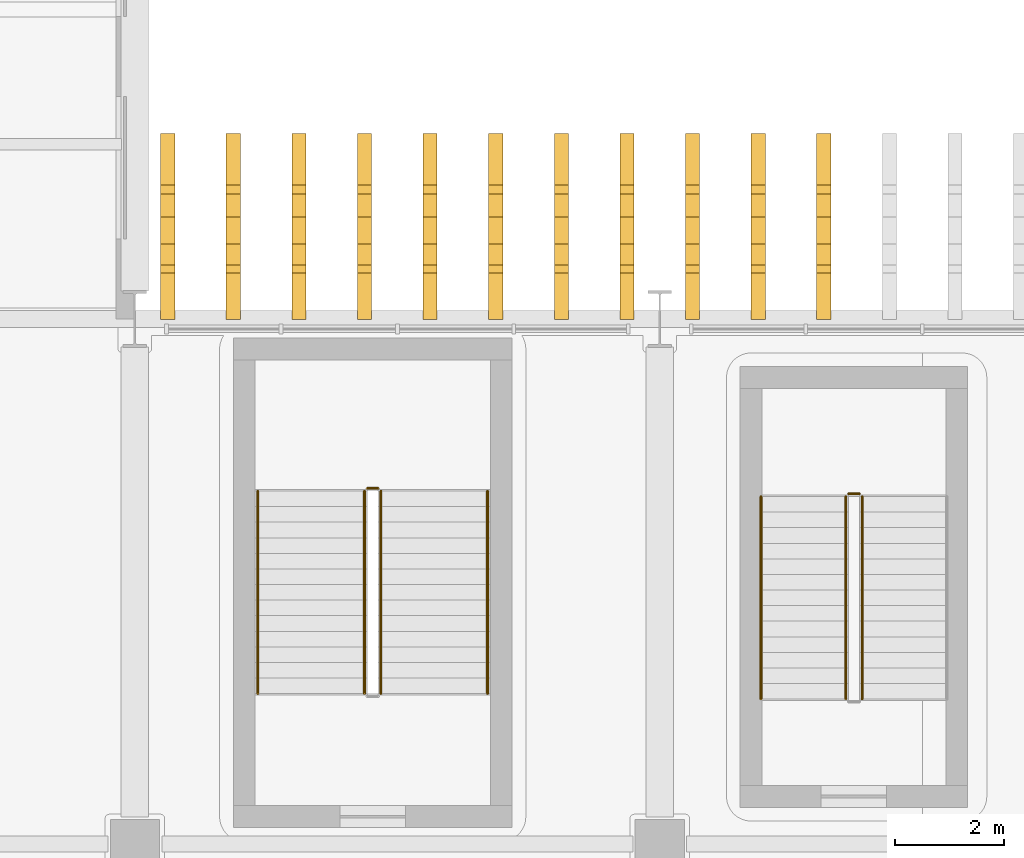
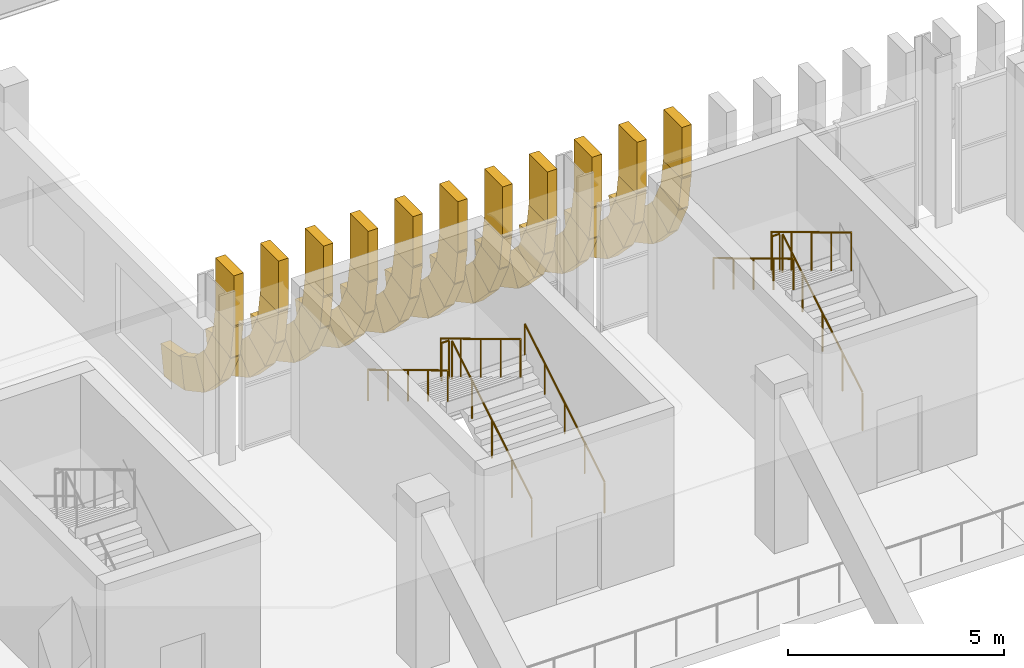
# One storey, part 87 of 100: 66 coverings, 9 railings.
"""IFC4 building model written with IfcOpenShell, lengths in metres."""

import ifcopenshell
import ifcopenshell.guid

model = None  # the IFC model being written
_history = None  # IfcOwnerHistory: only IFC2X3 demands one
_inside = {}  # id of a spatial element -> (the spatial element, [elements in it])
_under = {}  # id of a project, library or spatial element -> (it, [spatial elements below it])
_declared = {}  # id of a project -> (the project, [libraries it declares])
_typed = {}  # id of a type object -> (the type object, [elements of that type])
_made_of = {}  # id of a material, layer set ... -> (it, [elements and type objects made of it])


def new_model(schema):
    """Start an empty IFC model of exactly this schema.

    Asked for "IFC4X3", IfcOpenShell would pick the latest addendum, in which some entities
    have other attributes; the version numbers below select the first issue.
    IFC2X3 requires an IfcOwnerHistory on every rooted entity: one is made here for all.
    """
    global model, _history
    if schema == "IFC4X3":
        model = ifcopenshell.file(schema_version=(4, 3, 0, 0))
    else:
        model = ifcopenshell.file(schema=schema)
    _inside.clear()
    _under.clear()
    _declared.clear()
    _typed.clear()
    _made_of.clear()
    _history = None
    if model.schema == "IFC2X3":
        org = make("IfcOrganization", Name="unknown")
        user = make(
            "IfcPersonAndOrganization",
            ThePerson=make("IfcPerson", FamilyName="unknown"),
            TheOrganization=org,
        )
        app = make(
            "IfcApplication",
            ApplicationDeveloper=org,
            Version="unknown",
            ApplicationFullName="unknown",
            ApplicationIdentifier="unknown",
        )
        _history = make(
            "IfcOwnerHistory",
            OwningUser=user,
            OwningApplication=app,
            ChangeAction="ADDED",
            CreationDate=0,
        )
    return model


def make(cls, **values):
    """One entity of the class cls with the attributes given. An attribute that is None is left unset."""
    return model.create_entity(
        cls, **{name: value for name, value in values.items() if value is not None}
    )


def rooted(cls, **values):
    """An entity with a GlobalId (a new one), such as an element, a storey or a relation."""
    return make(cls, GlobalId=ifcopenshell.guid.new(), OwnerHistory=_history, **values)


def si_unit(unit_type, name, prefix=None):
    """IfcSIUnit, for example si_unit("LENGTHUNIT", "METRE", prefix="MILLI")."""
    return make("IfcSIUnit", UnitType=unit_type, Prefix=prefix, Name=name)


def assignment(units):
    """IfcUnitAssignment: the units of a project."""
    return None if units is None else make("IfcUnitAssignment", Units=units)


def point(xyz):
    """IfcCartesianPoint."""
    return None if xyz is None else make("IfcCartesianPoint", Coordinates=xyz)


def direction(xyz):
    """IfcDirection."""
    return None if xyz is None else make("IfcDirection", DirectionRatios=xyz)


def frame(location, z_axis=None, x_axis=None):
    """IfcAxis2Placement3D, a coordinate frame: its origin and axes. An axis left out is left unset."""
    return make(
        "IfcAxis2Placement3D",
        Location=point(location),
        Axis=direction(z_axis),
        RefDirection=direction(x_axis),
    )


def frame_2d(location, x_axis=None):
    """IfcAxis2Placement2D, a coordinate frame in the plane: its origin and x axis."""
    return make(
        "IfcAxis2Placement2D", Location=point(location), RefDirection=direction(x_axis)
    )


def origin():
    """The frame at (0, 0, 0) with its axes left unset."""
    return frame((0.0, 0.0, 0.0))


def origin_2d():
    """The frame at (0, 0) in the plane with its x axis left unset."""
    return frame_2d((0.0, 0.0))


def place(relative_to, where):
    """IfcLocalPlacement: puts the frame where relative to a parent placement (None: the world)."""
    return make(
        "IfcLocalPlacement", PlacementRelTo=relative_to, RelativePlacement=where
    )


def context(
    kind, dimensions, precision=None, world=None, true_north=None, identifier=None
):
    """IfcGeometricRepresentationContext, for example the 3D "Model" context."""
    return make(
        "IfcGeometricRepresentationContext",
        ContextIdentifier=identifier,
        ContextType=kind,
        CoordinateSpaceDimension=dimensions,
        Precision=precision,
        WorldCoordinateSystem=world,
        TrueNorth=true_north,
    )


def subcontext(parent, identifier, kind, view, scale=None):
    """IfcGeometricRepresentationSubContext, for example "Body" below "Model"."""
    return make(
        "IfcGeometricRepresentationSubContext",
        ContextIdentifier=identifier,
        ContextType=kind,
        ParentContext=parent,
        TargetScale=scale,
        TargetView=view,
    )


def project(units=None, contexts=None):
    """IfcProject with its units and contexts."""
    return rooted(
        "IfcProject",
        Name="project",
        RepresentationContexts=contexts,
        UnitsInContext=assignment(units),
    )


def spatial(cls, under=None, at=None, **own):
    """A site, building, storey or space (cls), placed at a placement, below another one or the project."""
    s = rooted(cls, ObjectPlacement=at, **own)
    if under is not None:
        _under.setdefault(under.id(), (under, []))[1].append(s)
    return s


def profile(cls, at=None, kind="AREA", **sizes):
    """A parametric profile (cls). Its sizes go by their IFC names, for example OverallWidth=200.0."""
    return make(cls, ProfileType=kind, Position=at, **sizes)


def rectangle(**sizes):
    """IfcRectangleProfileDef."""
    return profile("IfcRectangleProfileDef", **sizes)


def circle(**sizes):
    """IfcCircleProfileDef."""
    return profile("IfcCircleProfileDef", **sizes)


def extrude(swept, where, along, depth):
    """IfcExtrudedAreaSolid: the profile swept, set in the frame where, extruded along a direction by depth."""
    return make(
        "IfcExtrudedAreaSolid",
        SweptArea=swept,
        Position=where,
        ExtrudedDirection=direction(along),
        Depth=depth,
    )


def shape(context_of_items, identifier, shape_type, items):
    """IfcShapeRepresentation: the items that make up one representation, for example the "Body"."""
    return make(
        "IfcShapeRepresentation",
        ContextOfItems=context_of_items,
        RepresentationIdentifier=identifier,
        RepresentationType=shape_type,
        Items=items,
    )


def material(Name=None, Category=None):
    """IfcMaterial."""
    return make("IfcMaterial", Name=Name, Category=Category)


def material_profile(
    of_material, cross_section, Name=None, Category=None, Priority=None
):
    """IfcMaterialProfile: a cross section and its material."""
    return make(
        "IfcMaterialProfile",
        Name=Name,
        Material=of_material,
        Profile=cross_section,
        Priority=Priority,
        Category=Category,
    )


def profile_set(profiles, Name=None, composite=None):
    """IfcMaterialProfileSet."""
    return make(
        "IfcMaterialProfileSet",
        Name=Name,
        MaterialProfiles=profiles,
        CompositeProfile=composite,
    )


def made_of(thing, what):
    """Note that an element or type object is made of a material, layer set ...; save() writes the relation."""
    if what is not None:
        _made_of.setdefault(what.id(), (what, []))[1].append(thing)
    return thing


def type_object(cls, material=None, **own):
    """A type object (cls), such as IfcWallType, which elements share."""
    return made_of(rooted(cls, **own), material)


def element(
    cls,
    number,
    at=None,
    inside=None,
    cuts=None,
    type_object=None,
    material=None,
    context=None,
    identifier="Body",
    shape_type=None,
    held_by="IfcProductDefinitionShape",
    body=None,
    shapes=None,
    **own,
):
    """One element of the class cls, such as IfcWall. Its Tag is "e" and its number.

    at: its placement. inside: the storey or other place that contains it. cuts: it is an
    opening in that element (IfcRelVoidsElement). A single representation is given by context,
    identifier, shape_type and body (its items); several are given by shapes. held_by: the class
    of the entity that holds the representations. save() writes the other relations.
    """
    e = rooted(cls, Tag="e%d" % number, ObjectPlacement=at, **own)
    if body is not None:
        shapes = [shape(context, identifier, shape_type, body)]
    if shapes is not None:
        e.Representation = make(held_by, Representations=shapes)
    if inside is not None:
        _inside.setdefault(inside.id(), (inside, []))[1].append(e)
    if cuts is not None:
        rooted(
            "IfcRelVoidsElement", RelatingBuildingElement=cuts, RelatedOpeningElement=e
        )
    if type_object is not None:
        _typed.setdefault(type_object.id(), (type_object, []))[1].append(e)
    return made_of(e, material)


def aggregate(whole, parts):
    """IfcRelAggregates: a whole, such as a stair, and the parts it consists of."""
    return rooted("IfcRelAggregates", RelatingObject=whole, RelatedObjects=parts)


def save(model, path):
    """Write the relations noted so far, then the file.

    IfcRelAggregates (storeys below a building ...), IfcRelContainedInSpatialStructure (elements
    in a storey), IfcRelDefinesByType, IfcRelAssociatesMaterial and IfcRelDeclares: one each for
    every whole, place, type object, material and project.
    """
    for whole, parts in _under.values():
        aggregate(whole, parts)
    for where, things in _inside.values():
        rooted(
            "IfcRelContainedInSpatialStructure",
            RelatedElements=things,
            RelatingStructure=where,
        )
    for kind, things in _typed.values():
        rooted("IfcRelDefinesByType", RelatedObjects=things, RelatingType=kind)
    for what, things in _made_of.values():
        rooted("IfcRelAssociatesMaterial", RelatedObjects=things, RelatingMaterial=what)
    for by, libraries in _declared.values():
        rooted("IfcRelDeclares", RelatingContext=by, RelatedDefinitions=libraries)
    model.write(path)


model = new_model("IFC4")

# Units and contexts
model_context = context("Model", 3, precision=1e-05, world=origin(), true_north=direction((0.0, 1.0)))
body_context = subcontext(model_context, "Body", "Model", "MODEL_VIEW")
ifc_project = project(units=[si_unit("LENGTHUNIT", "METRE"), si_unit("AREAUNIT", "SQUARE_METRE"), si_unit("VOLUMEUNIT", "CUBIC_METRE"), si_unit("PLANEANGLEUNIT", "RADIAN"), si_unit("MASSUNIT", "GRAM", prefix="KILO")], contexts=[model_context])

# Site, building, storey
site_placement = place(None, origin())
site = spatial("IfcSite", under=ifc_project, at=site_placement, CompositionType="ELEMENT")
building_placement = place(site_placement, origin())
building = spatial("IfcBuilding", under=site, at=building_placement, Name="Caelomonte Colonnade Arena", CompositionType="ELEMENT")
storey_placement = place(building_placement, origin())
storey = spatial("IfcBuildingStorey", under=building, at=storey_placement, Name="L00", CompositionType="ELEMENT", Elevation=0.0)

# Coverings
ifc_material_1 = material(Name="Precast travertine cladding", Category="masonry")
ifc_material_profile = material_profile(ifc_material_1, rectangle(XDim=0.260009765625, YDim=0.85009765625, at=origin_2d()), Name="FIN260X850")
ifc_profile_set = profile_set([ifc_material_profile], Name="Precast travertine cladding")
covering_type = type_object("IfcCoveringType", Name="ENV-FN-SKIRT", PredefinedType="CLADDING", material=ifc_profile_set)
covering_1_placement = place(storey_placement, frame((108.60009765625, 115.62109375, 3.360107421875), z_axis=(0.0, 0.0, 1.0), x_axis=(1.0, 0.0, 0.0)))
element("IfcCovering", 1, at=covering_1_placement, inside=storey, type_object=covering_type, Name="V1 L00 upper classical fin stem 121", PredefinedType="CLADDING", context=body_context, shape_type="SweptSolid", body=[
    extrude(rectangle(XDim=0.260009765625, YDim=0.85009765625, at=origin_2d()), origin(), (0.0, 0.0, 1.0), 1.4599609375),
])
for number, where, z_axis, x_axis, name in (
    (2, (108.60009765625, 115.614013671875, 3.474609375), (0.0, 0.153076342973, -0.988214366027), (-1.0, 0.0, 0.0), "V1 L00 splayed classical fin skirt chord 1 (121)"),
    (3, (108.60009765625, 115.741455078125, 2.563232421875), (0.0, 0.444692864571, -0.89568312265), (-1.0, 0.0, 0.0), "V1 L00 splayed classical fin skirt chord 2 (121)"),
    (4, (108.60009765625, 116.13818359375, 1.733154296875), (0.0, 0.694646381209, -0.71935137803), (-1.0, 0.0, 0.0), "V1 L00 splayed classical fin skirt chord 3 (121)"),
    (5, (108.60009765625, 116.767578125, 1.061767578125), (0.0, 0.879731158529, -0.475471438379), (-1.0, 0.0, 0.0), "V1 L00 splayed classical fin skirt chord 4 (121)"),
):
    element("IfcCovering", number, at=place(storey_placement, frame(where, z_axis=z_axis, x_axis=x_axis)), inside=storey, type_object=covering_type, Name=name, PredefinedType="CLADDING", context=body_context, shape_type="SweptSolid", body=[
        extrude(rectangle(XDim=0.260009765625, YDim=0.85009765625, at=origin_2d()), origin(), (0.0, 0.0, 1.0), 1.008056640625),
    ])
covering_2_placement = place(storey_placement, frame((108.60009765625, 117.5703125, 0.6123046875), z_axis=(0.0, 0.982296384632, -0.187333426643), x_axis=(-1.0, 0.0, 0.0)))
element("IfcCovering", 6, at=covering_2_placement, inside=storey, type_object=covering_type, Name="V1 L00 splayed classical fin skirt chord 5 (121)", PredefinedType="CLADDING", context=body_context, shape_type="SweptSolid", body=[
    extrude(rectangle(XDim=0.260009765625, YDim=0.85009765625, at=origin_2d()), origin(), (0.0, 0.0, 1.0), 0.963134765625),
])
covering_3_placement = place(storey_placement, frame((107.39990234375, 115.62109375, 3.360107421875), z_axis=(0.0, 0.0, 1.0), x_axis=(1.0, 0.0, 0.0)))
element("IfcCovering", 7, at=covering_3_placement, inside=storey, type_object=covering_type, Name="V1 L00 upper classical fin stem 122", PredefinedType="CLADDING", context=body_context, shape_type="SweptSolid", body=[
    extrude(rectangle(XDim=0.260009765625, YDim=0.85009765625, at=origin_2d()), origin(), (0.0, 0.0, 1.0), 1.4599609375),
])
for number, where, z_axis, x_axis, name in (
    (8, (107.39990234375, 115.614013671875, 3.474609375), (0.0, 0.153076342973, -0.988214366027), (-1.0, 0.0, 0.0), "V1 L00 splayed classical fin skirt chord 1 (122)"),
    (9, (107.39990234375, 115.741455078125, 2.563232421875), (0.0, 0.444692864571, -0.89568312265), (-1.0, 0.0, 0.0), "V1 L00 splayed classical fin skirt chord 2 (122)"),
    (10, (107.39990234375, 116.13818359375, 1.733154296875), (0.0, 0.694646381209, -0.71935137803), (-1.0, 0.0, 0.0), "V1 L00 splayed classical fin skirt chord 3 (122)"),
    (11, (107.39990234375, 116.767578125, 1.061767578125), (0.0, 0.879731158529, -0.475471438379), (-1.0, 0.0, 0.0), "V1 L00 splayed classical fin skirt chord 4 (122)"),
):
    element("IfcCovering", number, at=place(storey_placement, frame(where, z_axis=z_axis, x_axis=x_axis)), inside=storey, type_object=covering_type, Name=name, PredefinedType="CLADDING", context=body_context, shape_type="SweptSolid", body=[
        extrude(rectangle(XDim=0.260009765625, YDim=0.85009765625, at=origin_2d()), origin(), (0.0, 0.0, 1.0), 1.008056640625),
    ])
covering_4_placement = place(storey_placement, frame((107.39990234375, 117.5703125, 0.6123046875), z_axis=(0.0, 0.982296384632, -0.187333426643), x_axis=(-1.0, 0.0, 0.0)))
element("IfcCovering", 12, at=covering_4_placement, inside=storey, type_object=covering_type, Name="V1 L00 splayed classical fin skirt chord 5 (122)", PredefinedType="CLADDING", context=body_context, shape_type="SweptSolid", body=[
    extrude(rectangle(XDim=0.260009765625, YDim=0.85009765625, at=origin_2d()), origin(), (0.0, 0.0, 1.0), 0.963134765625),
])
covering_5_placement = place(storey_placement, frame((106.199951171875, 115.62109375, 3.360107421875), z_axis=(0.0, 0.0, 1.0), x_axis=(1.0, 0.0, 0.0)))
element("IfcCovering", 13, at=covering_5_placement, inside=storey, type_object=covering_type, Name="V1 L00 upper classical fin stem 123", PredefinedType="CLADDING", context=body_context, shape_type="SweptSolid", body=[
    extrude(rectangle(XDim=0.260009765625, YDim=0.85009765625, at=origin_2d()), origin(), (0.0, 0.0, 1.0), 1.4599609375),
])
for number, where, z_axis, x_axis, name in (
    (14, (106.199951171875, 115.614013671875, 3.474609375), (0.0, 0.153076342973, -0.988214366027), (-1.0, 0.0, 0.0), "V1 L00 splayed classical fin skirt chord 1 (123)"),
    (15, (106.199951171875, 115.741455078125, 2.563232421875), (0.0, 0.444692864571, -0.89568312265), (-1.0, 0.0, 0.0), "V1 L00 splayed classical fin skirt chord 2 (123)"),
    (16, (106.199951171875, 116.13818359375, 1.733154296875), (0.0, 0.694646381209, -0.71935137803), (-1.0, 0.0, 0.0), "V1 L00 splayed classical fin skirt chord 3 (123)"),
    (17, (106.199951171875, 116.767578125, 1.061767578125), (0.0, 0.879731158529, -0.475471438379), (-1.0, 0.0, 0.0), "V1 L00 splayed classical fin skirt chord 4 (123)"),
):
    element("IfcCovering", number, at=place(storey_placement, frame(where, z_axis=z_axis, x_axis=x_axis)), inside=storey, type_object=covering_type, Name=name, PredefinedType="CLADDING", context=body_context, shape_type="SweptSolid", body=[
        extrude(rectangle(XDim=0.260009765625, YDim=0.85009765625, at=origin_2d()), origin(), (0.0, 0.0, 1.0), 1.008056640625),
    ])
covering_6_placement = place(storey_placement, frame((106.199951171875, 117.5703125, 0.6123046875), z_axis=(0.0, 0.982296384632, -0.187333426643), x_axis=(-1.0, 0.0, 0.0)))
element("IfcCovering", 18, at=covering_6_placement, inside=storey, type_object=covering_type, Name="V1 L00 splayed classical fin skirt chord 5 (123)", PredefinedType="CLADDING", context=body_context, shape_type="SweptSolid", body=[
    extrude(rectangle(XDim=0.260009765625, YDim=0.85009765625, at=origin_2d()), origin(), (0.0, 0.0, 1.0), 0.963134765625),
])
covering_7_placement = place(storey_placement, frame((105.0, 115.62109375, 3.360107421875), z_axis=(0.0, 0.0, 1.0), x_axis=(1.0, 0.0, 0.0)))
element("IfcCovering", 19, at=covering_7_placement, inside=storey, type_object=covering_type, Name="V1 L00 upper classical fin stem 124", PredefinedType="CLADDING", context=body_context, shape_type="SweptSolid", body=[
    extrude(rectangle(XDim=0.260009765625, YDim=0.85009765625, at=origin_2d()), origin(), (0.0, 0.0, 1.0), 1.4599609375),
])
for number, where, z_axis, x_axis, name in (
    (20, (105.0, 115.614013671875, 3.474609375), (0.0, 0.153076342973, -0.988214366027), (-1.0, 0.0, 0.0), "V1 L00 splayed classical fin skirt chord 1 (124)"),
    (21, (105.0, 115.741455078125, 2.563232421875), (0.0, 0.444692864571, -0.89568312265), (-1.0, 0.0, 0.0), "V1 L00 splayed classical fin skirt chord 2 (124)"),
    (22, (105.0, 116.13818359375, 1.733154296875), (0.0, 0.694646381209, -0.71935137803), (-1.0, 0.0, 0.0), "V1 L00 splayed classical fin skirt chord 3 (124)"),
    (23, (105.0, 116.767578125, 1.061767578125), (0.0, 0.879731158529, -0.475471438379), (-1.0, 0.0, 0.0), "V1 L00 splayed classical fin skirt chord 4 (124)"),
):
    element("IfcCovering", number, at=place(storey_placement, frame(where, z_axis=z_axis, x_axis=x_axis)), inside=storey, type_object=covering_type, Name=name, PredefinedType="CLADDING", context=body_context, shape_type="SweptSolid", body=[
        extrude(rectangle(XDim=0.260009765625, YDim=0.85009765625, at=origin_2d()), origin(), (0.0, 0.0, 1.0), 1.008056640625),
    ])
covering_8_placement = place(storey_placement, frame((105.0, 117.5703125, 0.6123046875), z_axis=(0.0, 0.982296384632, -0.187333426643), x_axis=(-1.0, 0.0, 0.0)))
element("IfcCovering", 24, at=covering_8_placement, inside=storey, type_object=covering_type, Name="V1 L00 splayed classical fin skirt chord 5 (124)", PredefinedType="CLADDING", context=body_context, shape_type="SweptSolid", body=[
    extrude(rectangle(XDim=0.260009765625, YDim=0.85009765625, at=origin_2d()), origin(), (0.0, 0.0, 1.0), 0.963134765625),
])
covering_9_placement = place(storey_placement, frame((103.800048828125, 115.62109375, 3.360107421875), z_axis=(0.0, 0.0, 1.0), x_axis=(1.0, 0.0, 0.0)))
element("IfcCovering", 25, at=covering_9_placement, inside=storey, type_object=covering_type, Name="V1 L00 upper classical fin stem 125", PredefinedType="CLADDING", context=body_context, shape_type="SweptSolid", body=[
    extrude(rectangle(XDim=0.260009765625, YDim=0.85009765625, at=origin_2d()), origin(), (0.0, 0.0, 1.0), 1.4599609375),
])
for number, where, z_axis, x_axis, name in (
    (26, (103.800048828125, 115.614013671875, 3.474609375), (0.0, 0.153076342973, -0.988214366027), (-1.0, 0.0, 0.0), "V1 L00 splayed classical fin skirt chord 1 (125)"),
    (27, (103.800048828125, 115.741455078125, 2.563232421875), (0.0, 0.444692864571, -0.89568312265), (-1.0, 0.0, 0.0), "V1 L00 splayed classical fin skirt chord 2 (125)"),
    (28, (103.800048828125, 116.13818359375, 1.733154296875), (0.0, 0.694646381209, -0.71935137803), (-1.0, 0.0, 0.0), "V1 L00 splayed classical fin skirt chord 3 (125)"),
    (29, (103.800048828125, 116.767578125, 1.061767578125), (0.0, 0.879731158529, -0.475471438379), (-1.0, 0.0, 0.0), "V1 L00 splayed classical fin skirt chord 4 (125)"),
):
    element("IfcCovering", number, at=place(storey_placement, frame(where, z_axis=z_axis, x_axis=x_axis)), inside=storey, type_object=covering_type, Name=name, PredefinedType="CLADDING", context=body_context, shape_type="SweptSolid", body=[
        extrude(rectangle(XDim=0.260009765625, YDim=0.85009765625, at=origin_2d()), origin(), (0.0, 0.0, 1.0), 1.008056640625),
    ])
covering_10_placement = place(storey_placement, frame((103.800048828125, 117.5703125, 0.6123046875), z_axis=(0.0, 0.982296384632, -0.187333426643), x_axis=(-1.0, 0.0, 0.0)))
element("IfcCovering", 30, at=covering_10_placement, inside=storey, type_object=covering_type, Name="V1 L00 splayed classical fin skirt chord 5 (125)", PredefinedType="CLADDING", context=body_context, shape_type="SweptSolid", body=[
    extrude(rectangle(XDim=0.260009765625, YDim=0.85009765625, at=origin_2d()), origin(), (0.0, 0.0, 1.0), 0.963134765625),
])
covering_11_placement = place(storey_placement, frame((102.60009765625, 115.62109375, 3.360107421875), z_axis=(0.0, 0.0, 1.0), x_axis=(1.0, 0.0, 0.0)))
element("IfcCovering", 31, at=covering_11_placement, inside=storey, type_object=covering_type, Name="V1 L00 upper classical fin stem 126", PredefinedType="CLADDING", context=body_context, shape_type="SweptSolid", body=[
    extrude(rectangle(XDim=0.260009765625, YDim=0.85009765625, at=origin_2d()), origin(), (0.0, 0.0, 1.0), 1.4599609375),
])
for number, where, z_axis, x_axis, name in (
    (32, (102.60009765625, 115.614013671875, 3.474609375), (0.0, 0.153076342973, -0.988214366027), (-1.0, 0.0, 0.0), "V1 L00 splayed classical fin skirt chord 1 (126)"),
    (33, (102.60009765625, 115.741455078125, 2.563232421875), (0.0, 0.444692864571, -0.89568312265), (-1.0, 0.0, 0.0), "V1 L00 splayed classical fin skirt chord 2 (126)"),
    (34, (102.60009765625, 116.13818359375, 1.733154296875), (0.0, 0.694646381209, -0.71935137803), (-1.0, 0.0, 0.0), "V1 L00 splayed classical fin skirt chord 3 (126)"),
    (35, (102.60009765625, 116.767578125, 1.061767578125), (0.0, 0.879731158529, -0.475471438379), (-1.0, 0.0, 0.0), "V1 L00 splayed classical fin skirt chord 4 (126)"),
):
    element("IfcCovering", number, at=place(storey_placement, frame(where, z_axis=z_axis, x_axis=x_axis)), inside=storey, type_object=covering_type, Name=name, PredefinedType="CLADDING", context=body_context, shape_type="SweptSolid", body=[
        extrude(rectangle(XDim=0.260009765625, YDim=0.85009765625, at=origin_2d()), origin(), (0.0, 0.0, 1.0), 1.008056640625),
    ])
covering_12_placement = place(storey_placement, frame((102.60009765625, 117.5703125, 0.6123046875), z_axis=(0.0, 0.982296384632, -0.187333426643), x_axis=(-1.0, 0.0, 0.0)))
element("IfcCovering", 36, at=covering_12_placement, inside=storey, type_object=covering_type, Name="V1 L00 splayed classical fin skirt chord 5 (126)", PredefinedType="CLADDING", context=body_context, shape_type="SweptSolid", body=[
    extrude(rectangle(XDim=0.260009765625, YDim=0.85009765625, at=origin_2d()), origin(), (0.0, 0.0, 1.0), 0.963134765625),
])
covering_13_placement = place(storey_placement, frame((101.39990234375, 115.62109375, 3.360107421875), z_axis=(0.0, 0.0, 1.0), x_axis=(1.0, 0.0, 0.0)))
element("IfcCovering", 37, at=covering_13_placement, inside=storey, type_object=covering_type, Name="V1 L00 upper classical fin stem 127", PredefinedType="CLADDING", context=body_context, shape_type="SweptSolid", body=[
    extrude(rectangle(XDim=0.260009765625, YDim=0.85009765625, at=origin_2d()), origin(), (0.0, 0.0, 1.0), 1.4599609375),
])
for number, where, z_axis, x_axis, name in (
    (38, (101.39990234375, 115.614013671875, 3.474609375), (0.0, 0.153076342973, -0.988214366027), (-1.0, 0.0, 0.0), "V1 L00 splayed classical fin skirt chord 1 (127)"),
    (39, (101.39990234375, 115.741455078125, 2.563232421875), (0.0, 0.444692864571, -0.89568312265), (-1.0, 0.0, 0.0), "V1 L00 splayed classical fin skirt chord 2 (127)"),
    (40, (101.39990234375, 116.13818359375, 1.733154296875), (0.0, 0.694646381209, -0.71935137803), (-1.0, 0.0, 0.0), "V1 L00 splayed classical fin skirt chord 3 (127)"),
    (41, (101.39990234375, 116.767578125, 1.061767578125), (0.0, 0.879731158529, -0.475471438379), (-1.0, 0.0, 0.0), "V1 L00 splayed classical fin skirt chord 4 (127)"),
):
    element("IfcCovering", number, at=place(storey_placement, frame(where, z_axis=z_axis, x_axis=x_axis)), inside=storey, type_object=covering_type, Name=name, PredefinedType="CLADDING", context=body_context, shape_type="SweptSolid", body=[
        extrude(rectangle(XDim=0.260009765625, YDim=0.85009765625, at=origin_2d()), origin(), (0.0, 0.0, 1.0), 1.008056640625),
    ])
covering_14_placement = place(storey_placement, frame((101.39990234375, 117.5703125, 0.6123046875), z_axis=(0.0, 0.982296384632, -0.187333426643), x_axis=(-1.0, 0.0, 0.0)))
element("IfcCovering", 42, at=covering_14_placement, inside=storey, type_object=covering_type, Name="V1 L00 splayed classical fin skirt chord 5 (127)", PredefinedType="CLADDING", context=body_context, shape_type="SweptSolid", body=[
    extrude(rectangle(XDim=0.260009765625, YDim=0.85009765625, at=origin_2d()), origin(), (0.0, 0.0, 1.0), 0.963134765625),
])
covering_15_placement = place(storey_placement, frame((100.199951171875, 115.62109375, 3.360107421875), z_axis=(0.0, 0.0, 1.0), x_axis=(1.0, 0.0, 0.0)))
element("IfcCovering", 43, at=covering_15_placement, inside=storey, type_object=covering_type, Name="V1 L00 upper classical fin stem 128", PredefinedType="CLADDING", context=body_context, shape_type="SweptSolid", body=[
    extrude(rectangle(XDim=0.260009765625, YDim=0.85009765625, at=origin_2d()), origin(), (0.0, 0.0, 1.0), 1.4599609375),
])
for number, where, z_axis, x_axis, name in (
    (44, (100.199951171875, 115.614013671875, 3.474609375), (0.0, 0.153076342973, -0.988214366027), (-1.0, 0.0, 0.0), "V1 L00 splayed classical fin skirt chord 1 (128)"),
    (45, (100.199951171875, 115.741455078125, 2.563232421875), (0.0, 0.444692864571, -0.89568312265), (-1.0, 0.0, 0.0), "V1 L00 splayed classical fin skirt chord 2 (128)"),
    (46, (100.199951171875, 116.13818359375, 1.733154296875), (0.0, 0.694646381209, -0.71935137803), (-1.0, 0.0, 0.0), "V1 L00 splayed classical fin skirt chord 3 (128)"),
    (47, (100.199951171875, 116.767578125, 1.061767578125), (0.0, 0.879731158529, -0.475471438379), (-1.0, 0.0, 0.0), "V1 L00 splayed classical fin skirt chord 4 (128)"),
):
    element("IfcCovering", number, at=place(storey_placement, frame(where, z_axis=z_axis, x_axis=x_axis)), inside=storey, type_object=covering_type, Name=name, PredefinedType="CLADDING", context=body_context, shape_type="SweptSolid", body=[
        extrude(rectangle(XDim=0.260009765625, YDim=0.85009765625, at=origin_2d()), origin(), (0.0, 0.0, 1.0), 1.008056640625),
    ])
covering_16_placement = place(storey_placement, frame((100.199951171875, 117.5703125, 0.6123046875), z_axis=(0.0, 0.982296384632, -0.187333426643), x_axis=(-1.0, 0.0, 0.0)))
element("IfcCovering", 48, at=covering_16_placement, inside=storey, type_object=covering_type, Name="V1 L00 splayed classical fin skirt chord 5 (128)", PredefinedType="CLADDING", context=body_context, shape_type="SweptSolid", body=[
    extrude(rectangle(XDim=0.260009765625, YDim=0.85009765625, at=origin_2d()), origin(), (0.0, 0.0, 1.0), 0.963134765625),
])
covering_17_placement = place(storey_placement, frame((99.0, 115.62109375, 3.360107421875), z_axis=(0.0, 0.0, 1.0), x_axis=(1.0, 0.0, 0.0)))
element("IfcCovering", 49, at=covering_17_placement, inside=storey, type_object=covering_type, Name="V1 L00 upper classical fin stem 129", PredefinedType="CLADDING", context=body_context, shape_type="SweptSolid", body=[
    extrude(rectangle(XDim=0.260009765625, YDim=0.85009765625, at=origin_2d()), origin(), (0.0, 0.0, 1.0), 1.4599609375),
])
for number, where, z_axis, x_axis, name in (
    (50, (99.0, 115.614013671875, 3.474609375), (0.0, 0.153076342973, -0.988214366027), (-1.0, 0.0, 0.0), "V1 L00 splayed classical fin skirt chord 1 (129)"),
    (51, (99.0, 115.741455078125, 2.563232421875), (0.0, 0.444692864571, -0.89568312265), (-1.0, 0.0, 0.0), "V1 L00 splayed classical fin skirt chord 2 (129)"),
    (52, (99.0, 116.13818359375, 1.733154296875), (0.0, 0.694646381209, -0.71935137803), (-1.0, 0.0, 0.0), "V1 L00 splayed classical fin skirt chord 3 (129)"),
    (53, (99.0, 116.767578125, 1.061767578125), (0.0, 0.879731158529, -0.475471438379), (-1.0, 0.0, 0.0), "V1 L00 splayed classical fin skirt chord 4 (129)"),
):
    element("IfcCovering", number, at=place(storey_placement, frame(where, z_axis=z_axis, x_axis=x_axis)), inside=storey, type_object=covering_type, Name=name, PredefinedType="CLADDING", context=body_context, shape_type="SweptSolid", body=[
        extrude(rectangle(XDim=0.260009765625, YDim=0.85009765625, at=origin_2d()), origin(), (0.0, 0.0, 1.0), 1.008056640625),
    ])
covering_18_placement = place(storey_placement, frame((99.0, 117.5703125, 0.6123046875), z_axis=(0.0, 0.982296384632, -0.187333426643), x_axis=(-1.0, 0.0, 0.0)))
element("IfcCovering", 54, at=covering_18_placement, inside=storey, type_object=covering_type, Name="V1 L00 splayed classical fin skirt chord 5 (129)", PredefinedType="CLADDING", context=body_context, shape_type="SweptSolid", body=[
    extrude(rectangle(XDim=0.260009765625, YDim=0.85009765625, at=origin_2d()), origin(), (0.0, 0.0, 1.0), 0.963134765625),
])
covering_19_placement = place(storey_placement, frame((97.800048828125, 115.62109375, 3.360107421875), z_axis=(0.0, 0.0, 1.0), x_axis=(1.0, 0.0, 0.0)))
element("IfcCovering", 55, at=covering_19_placement, inside=storey, type_object=covering_type, Name="V1 L00 upper classical fin stem 130", PredefinedType="CLADDING", context=body_context, shape_type="SweptSolid", body=[
    extrude(rectangle(XDim=0.260009765625, YDim=0.85009765625, at=origin_2d()), origin(), (0.0, 0.0, 1.0), 1.4599609375),
])
for number, where, z_axis, x_axis, name in (
    (56, (97.800048828125, 115.614013671875, 3.474609375), (0.0, 0.153076342973, -0.988214366027), (-1.0, 0.0, 0.0), "V1 L00 splayed classical fin skirt chord 1 (130)"),
    (57, (97.800048828125, 115.741455078125, 2.563232421875), (0.0, 0.444692864571, -0.89568312265), (-1.0, 0.0, 0.0), "V1 L00 splayed classical fin skirt chord 2 (130)"),
    (58, (97.800048828125, 116.13818359375, 1.733154296875), (0.0, 0.694646381209, -0.71935137803), (-1.0, 0.0, 0.0), "V1 L00 splayed classical fin skirt chord 3 (130)"),
    (59, (97.800048828125, 116.767578125, 1.061767578125), (0.0, 0.879731158529, -0.475471438379), (-1.0, 0.0, 0.0), "V1 L00 splayed classical fin skirt chord 4 (130)"),
):
    element("IfcCovering", number, at=place(storey_placement, frame(where, z_axis=z_axis, x_axis=x_axis)), inside=storey, type_object=covering_type, Name=name, PredefinedType="CLADDING", context=body_context, shape_type="SweptSolid", body=[
        extrude(rectangle(XDim=0.260009765625, YDim=0.85009765625, at=origin_2d()), origin(), (0.0, 0.0, 1.0), 1.008056640625),
    ])
covering_20_placement = place(storey_placement, frame((97.800048828125, 117.5703125, 0.6123046875), z_axis=(0.0, 0.982296384632, -0.187333426643), x_axis=(-1.0, 0.0, 0.0)))
element("IfcCovering", 60, at=covering_20_placement, inside=storey, type_object=covering_type, Name="V1 L00 splayed classical fin skirt chord 5 (130)", PredefinedType="CLADDING", context=body_context, shape_type="SweptSolid", body=[
    extrude(rectangle(XDim=0.260009765625, YDim=0.85009765625, at=origin_2d()), origin(), (0.0, 0.0, 1.0), 0.963134765625),
])
covering_21_placement = place(storey_placement, frame((96.60009765625, 115.62109375, 3.360107421875), z_axis=(0.0, 0.0, 1.0), x_axis=(1.0, 0.0, 0.0)))
element("IfcCovering", 61, at=covering_21_placement, inside=storey, type_object=covering_type, Name="V1 L00 upper classical fin stem 131", PredefinedType="CLADDING", context=body_context, shape_type="SweptSolid", body=[
    extrude(rectangle(XDim=0.260009765625, YDim=0.85009765625, at=origin_2d()), origin(), (0.0, 0.0, 1.0), 1.4599609375),
])
for number, where, z_axis, x_axis, name in (
    (62, (96.60009765625, 115.614013671875, 3.474609375), (0.0, 0.153076342973, -0.988214366027), (-1.0, 0.0, 0.0), "V1 L00 splayed classical fin skirt chord 1 (131)"),
    (63, (96.60009765625, 115.741455078125, 2.563232421875), (0.0, 0.444692864571, -0.89568312265), (-1.0, 0.0, 0.0), "V1 L00 splayed classical fin skirt chord 2 (131)"),
    (64, (96.60009765625, 116.13818359375, 1.733154296875), (0.0, 0.694646381209, -0.71935137803), (-1.0, 0.0, 0.0), "V1 L00 splayed classical fin skirt chord 3 (131)"),
    (65, (96.60009765625, 116.767578125, 1.061767578125), (0.0, 0.879731158529, -0.475471438379), (-1.0, 0.0, 0.0), "V1 L00 splayed classical fin skirt chord 4 (131)"),
):
    element("IfcCovering", number, at=place(storey_placement, frame(where, z_axis=z_axis, x_axis=x_axis)), inside=storey, type_object=covering_type, Name=name, PredefinedType="CLADDING", context=body_context, shape_type="SweptSolid", body=[
        extrude(rectangle(XDim=0.260009765625, YDim=0.85009765625, at=origin_2d()), origin(), (0.0, 0.0, 1.0), 1.008056640625),
    ])
covering_22_placement = place(storey_placement, frame((96.60009765625, 117.5703125, 0.6123046875), z_axis=(0.0, 0.982296384632, -0.187333426643), x_axis=(-1.0, 0.0, 0.0)))
element("IfcCovering", 66, at=covering_22_placement, inside=storey, type_object=covering_type, Name="V1 L00 splayed classical fin skirt chord 5 (131)", PredefinedType="CLADDING", context=body_context, shape_type="SweptSolid", body=[
    extrude(rectangle(XDim=0.260009765625, YDim=0.85009765625, at=origin_2d()), origin(), (0.0, 0.0, 1.0), 0.963134765625),
])

# Railings
ifc_material_2 = material(Name="Painted galvanized steel stair guard", Category="steel")
railing_type_1 = type_object("IfcRailingType", Name="INT-RL-GRD", PredefinedType="GUARDRAIL", material=ifc_material_2)
railing_1_placement = place(storey_placement, frame((100.5, 108.35009765625, 0.17138671875)))
element("IfcRailing", 67, at=railing_1_placement, inside=storey, type_object=railing_type_1, Name="L00 ST-15 stair guard 1", PredefinedType="GUARDRAIL", context=body_context, shape_type="SweptSolid", body=[
    extrude(circle(Radius=0.02392578125, at=origin_2d()), frame((0.0, 0.0, 1.076171875), z_axis=(0.0, 0.856919398105, 0.515450429384), x_axis=(-1.0, 0.0, 0.0)), (0.0, 0.0, 1.0), 4.323486328125),
    extrude(circle(Radius=0.02099609375, at=origin_2d()), origin(), (0.0, 0.0, 1.0), 1.048095703125),
    extrude(circle(Radius=0.02099609375, at=origin_2d()), frame((0.0, 0.92626953125, 0.55712890625)), (0.0, 0.0, 1.0), 1.048095703125),
    extrude(circle(Radius=0.02099609375, at=origin_2d()), frame((0.0, 1.8525390625, 1.1142578125)), (0.0, 0.0, 1.0), 1.048095703125),
    extrude(circle(Radius=0.02099609375, at=origin_2d()), frame((0.0, 2.778564453125, 1.67138671875)), (0.0, 0.0, 1.0), 1.048095703125),
    extrude(circle(Radius=0.02099609375, at=origin_2d()), frame((0.0, 3.704833984375, 2.228515625)), (0.0, 0.0, 1.0), 1.048095703125),
])
railing_2_placement = place(storey_placement, frame((100.449951171875, 112.10498046875, 2.39990234375)))
element("IfcRailing", 68, at=railing_2_placement, inside=storey, type_object=railing_type_1, Name="L00 ST-15 stair guard 2", PredefinedType="GUARDRAIL", context=body_context, shape_type="SweptSolid", body=[
    extrude(circle(Radius=0.02392578125, at=origin_2d()), frame((0.0, 0.0, 1.076171875), z_axis=(-1.0, 0.0, 0.0), x_axis=(0.0, -1.0, 0.0)), (0.0, 0.0, 1.0), 0.199951171875),
    extrude(circle(Radius=0.02099609375, at=origin_2d()), origin(), (0.0, 0.0, 1.0), 1.048095703125),
    extrude(circle(Radius=0.02099609375, at=origin_2d()), frame((-0.199951171875, 0.0, 0.0)), (0.0, 0.0, 1.0), 1.048095703125),
])
railing_3_placement = place(storey_placement, frame((100.199951171875, 112.054931640625, 2.571533203125)))
element("IfcRailing", 69, at=railing_3_placement, inside=storey, type_object=railing_type_1, Name="L00 ST-15 stair guard 3", PredefinedType="GUARDRAIL", context=body_context, shape_type="SweptSolid", body=[
    extrude(circle(Radius=0.02392578125, at=origin_2d()), frame((0.0, 0.0, 1.076171875), z_axis=(0.0, -0.856919398105, 0.515450429384), x_axis=(1.0, 0.0, 0.0)), (0.0, 0.0, 1.0), 4.323486328125),
    extrude(circle(Radius=0.02099609375, at=origin_2d()), origin(), (0.0, 0.0, 1.0), 1.048095703125),
    extrude(circle(Radius=0.02099609375, at=origin_2d()), frame((0.0, -0.92626953125, 0.55712890625)), (0.0, 0.0, 1.0), 1.048095703125),
    extrude(circle(Radius=0.02099609375, at=origin_2d()), frame((0.0, -1.8525390625, 1.1142578125)), (0.0, 0.0, 1.0), 1.048095703125),
    extrude(circle(Radius=0.02099609375, at=origin_2d()), frame((0.0, -2.778564453125, 1.67138671875)), (0.0, 0.0, 1.0), 1.048095703125),
    extrude(circle(Radius=0.02099609375, at=origin_2d()), frame((0.0, -3.704833984375, 2.228515625)), (0.0, 0.0, 1.0), 1.048095703125),
])
railing_4_placement = place(storey_placement, frame((109.300048828125, 108.25, 0.17138671875)))
element("IfcRailing", 70, at=railing_4_placement, inside=storey, type_object=railing_type_1, Name="L00 ST-V06 stair guard 1", PredefinedType="GUARDRAIL", context=body_context, shape_type="SweptSolid", body=[
    extrude(circle(Radius=0.02392578125, at=origin_2d()), frame((0.0, 0.0, 1.076171875), z_axis=(0.0, 0.856934400257, 0.515425487977), x_axis=(-1.0, 0.0, 0.0)), (0.0, 0.0, 1.0), 4.32373046875),
    extrude(circle(Radius=0.02099609375, at=origin_2d()), origin(), (0.0, 0.0, 1.0), 1.048095703125),
    extrude(circle(Radius=0.02099609375, at=origin_2d()), frame((0.0, 0.92626953125, 0.55712890625)), (0.0, 0.0, 1.0), 1.048095703125),
    extrude(circle(Radius=0.02099609375, at=origin_2d()), frame((0.0, 1.8525390625, 1.1142578125)), (0.0, 0.0, 1.0), 1.048095703125),
    extrude(circle(Radius=0.02099609375, at=origin_2d()), frame((0.0, 2.77880859375, 1.67138671875)), (0.0, 0.0, 1.0), 1.048095703125),
    extrude(circle(Radius=0.02099609375, at=origin_2d()), frame((0.0, 3.705078125, 2.228515625)), (0.0, 0.0, 1.0), 1.048095703125),
])
railing_5_placement = place(storey_placement, frame((109.25, 112.0048828125, 2.39990234375)))
element("IfcRailing", 71, at=railing_5_placement, inside=storey, type_object=railing_type_1, Name="L00 ST-V06 stair guard 2", PredefinedType="GUARDRAIL", context=body_context, shape_type="SweptSolid", body=[
    extrude(circle(Radius=0.02392578125, at=origin_2d()), frame((0.0, 0.0, 1.076171875), z_axis=(-1.0, 0.0, 0.0), x_axis=(0.0, -1.0, 0.0)), (0.0, 0.0, 1.0), 0.199951171875),
    extrude(circle(Radius=0.02099609375, at=origin_2d()), origin(), (0.0, 0.0, 1.0), 1.048095703125),
    extrude(circle(Radius=0.02099609375, at=origin_2d()), frame((-0.199951171875, 0.0, 0.0)), (0.0, 0.0, 1.0), 1.048095703125),
])
railing_6_placement = place(storey_placement, frame((109.0, 111.955078125, 2.571533203125)))
element("IfcRailing", 72, at=railing_6_placement, inside=storey, type_object=railing_type_1, Name="L00 ST-V06 stair guard 3", PredefinedType="GUARDRAIL", context=body_context, shape_type="SweptSolid", body=[
    extrude(circle(Radius=0.02392578125, at=origin_2d()), frame((0.0, 0.0, 1.076171875), z_axis=(0.0, -0.856934400257, 0.515425487977), x_axis=(1.0, 0.0, 0.0)), (0.0, 0.0, 1.0), 4.32373046875),
    extrude(circle(Radius=0.02099609375, at=origin_2d()), origin(), (0.0, 0.0, 1.0), 1.048095703125),
    extrude(circle(Radius=0.02099609375, at=origin_2d()), frame((0.0, -0.92626953125, 0.55712890625)), (0.0, 0.0, 1.0), 1.048095703125),
    extrude(circle(Radius=0.02099609375, at=origin_2d()), frame((0.0, -1.8525390625, 1.1142578125)), (0.0, 0.0, 1.0), 1.048095703125),
    extrude(circle(Radius=0.02099609375, at=origin_2d()), frame((0.0, -2.77880859375, 1.67138671875)), (0.0, 0.0, 1.0), 1.048095703125),
    extrude(circle(Radius=0.02099609375, at=origin_2d()), frame((0.0, -3.705078125, 2.228515625)), (0.0, 0.0, 1.0), 1.048095703125),
])
ifc_material_3 = material(Name="Brushed stainless steel stair handrail", Category="steel")
railing_type_2 = type_object("IfcRailingType", Name="INT-RL-HR", PredefinedType="HANDRAIL", material=ifc_material_3)
railing_7_placement = place(storey_placement, frame((102.449951171875, 108.35009765625, 0.17138671875)))
element("IfcRailing", 73, at=railing_7_placement, inside=storey, type_object=railing_type_2, Name="L00 ST-15 stair handrail 1", PredefinedType="HANDRAIL", context=body_context, shape_type="SweptSolid", body=[
    extrude(circle(Radius=0.02392578125, at=origin_2d()), frame((0.0, 0.0, 0.8759765625), z_axis=(0.0, 0.856919398105, 0.515450429384), x_axis=(-1.0, 0.0, 0.0)), (0.0, 0.0, 1.0), 4.323486328125),
    extrude(circle(Radius=0.02099609375, at=origin_2d()), origin(), (0.0, 0.0, 1.0), 0.847900390625),
    extrude(circle(Radius=0.02099609375, at=origin_2d()), frame((0.0, 0.92626953125, 0.55712890625)), (0.0, 0.0, 1.0), 0.847900390625),
    extrude(circle(Radius=0.02099609375, at=origin_2d()), frame((0.0, 1.8525390625, 1.1142578125)), (0.0, 0.0, 1.0), 0.847900390625),
    extrude(circle(Radius=0.02099609375, at=origin_2d()), frame((0.0, 2.778564453125, 1.67138671875)), (0.0, 0.0, 1.0), 0.847900390625),
    extrude(circle(Radius=0.02099609375, at=origin_2d()), frame((0.0, 3.704833984375, 2.228515625)), (0.0, 0.0, 1.0), 0.847900390625),
])
railing_8_placement = place(storey_placement, frame((98.25, 112.054931640625, 2.571533203125)))
element("IfcRailing", 74, at=railing_8_placement, inside=storey, type_object=railing_type_2, Name="L00 ST-15 stair handrail 2", PredefinedType="HANDRAIL", context=body_context, shape_type="SweptSolid", body=[
    extrude(circle(Radius=0.02392578125, at=origin_2d()), frame((0.0, 0.0, 0.8759765625), z_axis=(0.0, -0.856919398105, 0.515450429384), x_axis=(1.0, 0.0, 0.0)), (0.0, 0.0, 1.0), 4.323486328125),
    extrude(circle(Radius=0.02099609375, at=origin_2d()), origin(), (0.0, 0.0, 1.0), 0.847900390625),
    extrude(circle(Radius=0.02099609375, at=origin_2d()), frame((0.0, -0.92626953125, 0.55712890625)), (0.0, 0.0, 1.0), 0.847900390625),
    extrude(circle(Radius=0.02099609375, at=origin_2d()), frame((0.0, -1.8525390625, 1.1142578125)), (0.0, 0.0, 1.0), 0.847900390625),
    extrude(circle(Radius=0.02099609375, at=origin_2d()), frame((0.0, -2.778564453125, 1.67138671875)), (0.0, 0.0, 1.0), 0.847900390625),
    extrude(circle(Radius=0.02099609375, at=origin_2d()), frame((0.0, -3.704833984375, 2.228515625)), (0.0, 0.0, 1.0), 0.847900390625),
])
railing_9_placement = place(storey_placement, frame((107.449951171875, 111.955078125, 2.571533203125)))
element("IfcRailing", 75, at=railing_9_placement, inside=storey, type_object=railing_type_2, Name="L00 ST-V06 stair handrail 2", PredefinedType="HANDRAIL", context=body_context, shape_type="SweptSolid", body=[
    extrude(circle(Radius=0.02392578125, at=origin_2d()), frame((0.0, 0.0, 0.8759765625), z_axis=(0.0, -0.856934400257, 0.515425487977), x_axis=(1.0, 0.0, 0.0)), (0.0, 0.0, 1.0), 4.32373046875),
    extrude(circle(Radius=0.02099609375, at=origin_2d()), origin(), (0.0, 0.0, 1.0), 0.847900390625),
    extrude(circle(Radius=0.02099609375, at=origin_2d()), frame((0.0, -0.92626953125, 0.55712890625)), (0.0, 0.0, 1.0), 0.847900390625),
    extrude(circle(Radius=0.02099609375, at=origin_2d()), frame((0.0, -1.8525390625, 1.1142578125)), (0.0, 0.0, 1.0), 0.847900390625),
    extrude(circle(Radius=0.02099609375, at=origin_2d()), frame((0.0, -2.77880859375, 1.67138671875)), (0.0, 0.0, 1.0), 0.847900390625),
    extrude(circle(Radius=0.02099609375, at=origin_2d()), frame((0.0, -3.705078125, 2.228515625)), (0.0, 0.0, 1.0), 0.847900390625),
])

save(model, "model.ifc")
